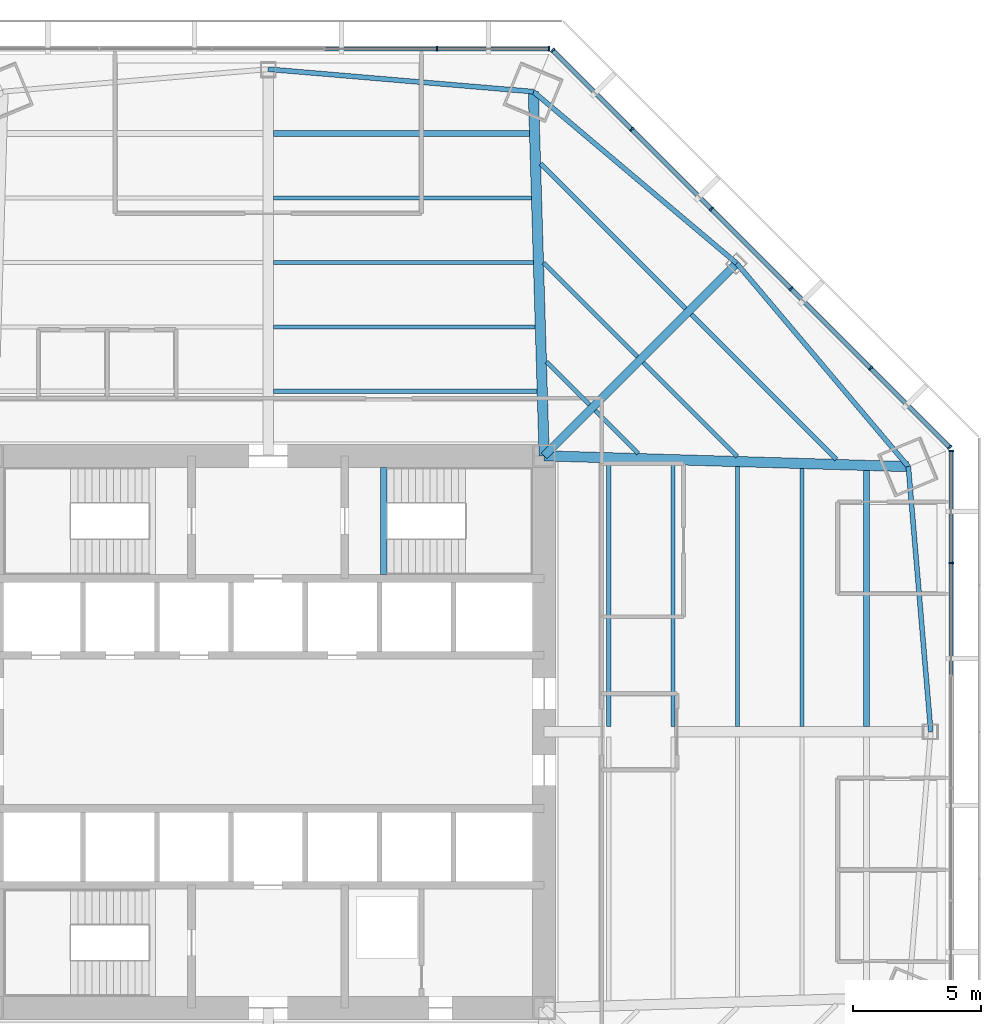
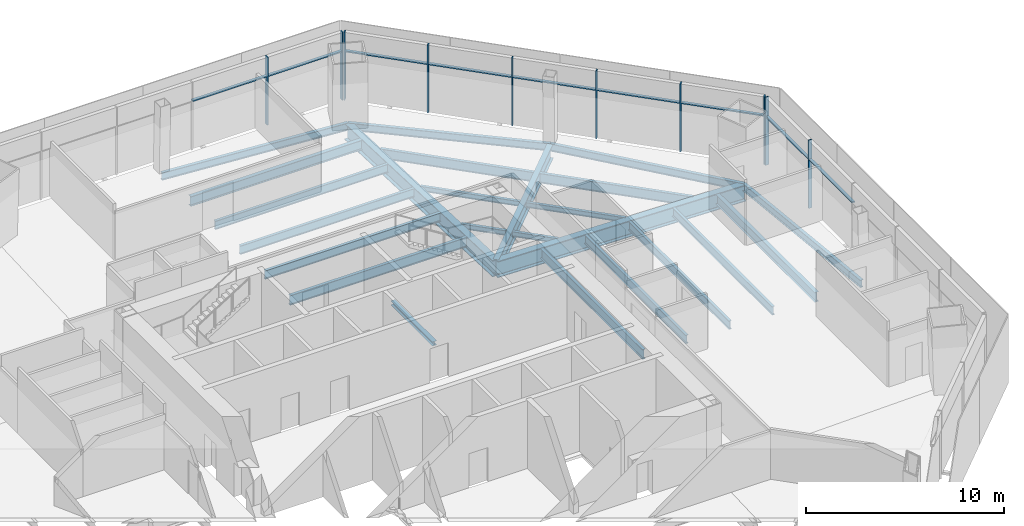
# One storey, part 5 of 13: 24 beams, 19 members, 3 elements without a shape of their own.
"""IFC4 building model written with IfcOpenShell, lengths in metres."""

from ifc_helpers import new_model, si_unit, direction, frame, origin, origin_2d, place, context, subcontext, project, spatial, rectangle, i_section, extrude, source, transform, mapped, material, material_profile, profile_set, type_object, type_shapes, element, aggregate, save


model = new_model("IFC4")

# Units and contexts
model_context = context("Model", 3, precision=1e-05, world=origin(), true_north=direction((0.0, 1.0)))
body_context = subcontext(model_context, "Body", "Model", "MODEL_VIEW")
ifc_project = project(units=[si_unit("LENGTHUNIT", "METRE"), si_unit("AREAUNIT", "SQUARE_METRE"), si_unit("VOLUMEUNIT", "CUBIC_METRE"), si_unit("PLANEANGLEUNIT", "RADIAN"), si_unit("MASSUNIT", "GRAM", prefix="KILO")], contexts=[model_context])

# Site, building, storey
site_placement = place(None, origin())
site = spatial("IfcSite", under=ifc_project, at=site_placement, CompositionType="ELEMENT")
building_placement = place(site_placement, origin())
building = spatial("IfcBuilding", under=site, at=building_placement, Name="Mashrafa Tower", CompositionType="ELEMENT")
storey_placement = place(building_placement, frame((0.0, 0.0, 45.60009765625)))
storey = spatial("IfcBuildingStorey", under=building, at=storey_placement, Name="L09", CompositionType="ELEMENT", Elevation=45.60009765625)

# Beams
ifc_material_1 = material(Name="Steel ASTM A992", Category="steel")
ifc_material_profile_1 = material_profile(ifc_material_1, i_section(OverallWidth=0.164794921875, OverallDepth=0.309814453125, WebThickness=0.005859375, FlangeThickness=0.009765625, FilletRadius=0.007568359375, at=origin_2d()), Name="W12X26")
ifc_profile_set_1 = profile_set([ifc_material_profile_1], Name="Steel ASTM A992")
beam_type_1 = type_object("IfcBeamType", Name="Beam W12X26", PredefinedType="BEAM", material=ifc_profile_set_1)
beam_1_placement = place(storey_placement, frame((10.776123046875, 18.358642578125, -0.320068359375), z_axis=(0.707130220543, -0.707083341053, 0.0), x_axis=(0.707083341053, 0.707130220543, 0.0)))
element("IfcBeam", 1, at=beam_1_placement, inside=storey, type_object=beam_type_1, Name="Floor beam L09 041", PredefinedType="BEAM", context=body_context, shape_type="SweptSolid", body=[
    extrude(i_section(OverallWidth=0.164794921875, OverallDepth=0.309814453125, WebThickness=0.005859375, FlangeThickness=0.009765625, FilletRadius=0.007568359375, at=origin_2d()), origin(), (0.0, 0.0, 1.0), 5.207763671875),
])
for number, where, z_axis, x_axis, name in (
    (2, (10.8916015625, 14.475830078125, -0.320068359375), (0.707106781187, -0.707106781187, 0.0), (0.707106781187, 0.707106781187, 0.0), "Floor beam L09 044"),
    (3, (12.79248046875, 12.574951171875, -0.320068359375), (0.707106781187, -0.707106781187, 0.0), (0.707106781187, 0.707106781187, 0.0), "Floor beam L09 047"),
):
    element("IfcBeam", number, at=place(storey_placement, frame(where, z_axis=z_axis, x_axis=x_axis)), inside=storey, type_object=beam_type_1, Name=name, PredefinedType="BEAM", context=body_context, shape_type="SweptSolid", body=[
        extrude(i_section(OverallWidth=0.164794921875, OverallDepth=0.309814453125, WebThickness=0.005859375, FlangeThickness=0.009765625, FilletRadius=0.007568359375, at=origin_2d()), origin(), (0.0, 0.0, 1.0), 2.380615234375),
    ])
beam_2_placement = place(storey_placement, frame((14.67626953125, 14.458740234375, -0.320068359375), z_axis=(0.707083341053, -0.707130220543, 0.0), x_axis=(0.707130220543, 0.707083341053, 0.0)))
element("IfcBeam", 4, at=beam_2_placement, inside=storey, type_object=beam_type_1, Name="Floor beam L09 051", PredefinedType="BEAM", context=body_context, shape_type="SweptSolid", body=[
    extrude(i_section(OverallWidth=0.164794921875, OverallDepth=0.309814453125, WebThickness=0.005859375, FlangeThickness=0.009765625, FilletRadius=0.007568359375, at=origin_2d()), origin(), (0.0, 0.0, 1.0), 5.207763671875),
])
ifc_material_2 = material(Name="Steel ASTM A992", Category="steel")
ifc_material_profile_2 = material_profile(ifc_material_2, i_section(OverallWidth=0.191162109375, OverallDepth=0.459716796875, WebThickness=0.010009765625, FlangeThickness=0.01611328125, FilletRadius=0.01025390625, at=origin_2d()), Name="W18X55")
ifc_profile_set_2 = profile_set([ifc_material_profile_2], Name="Steel ASTM A992")
beam_type_2 = type_object("IfcBeamType", Name="Beam W18X55", PredefinedType="BEAM", material=ifc_profile_set_2)
beam_3_placement = place(storey_placement, frame((10.376708984375, 25.05126953125, -0.39501953125), z_axis=(-0.996438060976, 0.084327875805, 0.0), x_axis=(-0.084327875805, -0.996438060976, 0.0)))
element("IfcBeam", 5, at=beam_3_placement, inside=storey, type_object=beam_type_2, Name="Spandrel beam L09 091", PredefinedType="BEAM", context=body_context, shape_type="SweptSolid", body=[
    extrude(i_section(OverallWidth=0.191162109375, OverallDepth=0.459716796875, WebThickness=0.010009765625, FlangeThickness=0.01611328125, FilletRadius=0.01025390625, at=origin_2d()), origin(), (0.0, 0.0, 1.0), 10.413818359375),
])
for number, where, z_axis, x_axis, name in (
    (6, (18.3349609375, 18.3349609375, -0.39501953125), (-0.764218898486, 0.64495695608, 0.0), (-0.64495695608, -0.764218898486, 0.0), "Spandrel beam L09 093"),
    (7, (25.05126953125, 10.376708984375, -0.39501953125), (-0.64495695608, 0.764218898486, 0.0), (-0.764218898486, -0.64495695608, 0.0), "Spandrel beam L09 095"),
):
    element("IfcBeam", number, at=place(storey_placement, frame(where, z_axis=z_axis, x_axis=x_axis)), inside=storey, type_object=beam_type_2, Name=name, PredefinedType="BEAM", context=body_context, shape_type="SweptSolid", body=[
        extrude(i_section(OverallWidth=0.191162109375, OverallDepth=0.459716796875, WebThickness=0.010009765625, FlangeThickness=0.01611328125, FilletRadius=0.01025390625, at=origin_2d()), origin(), (0.0, 0.0, 1.0), 10.41357421875),
    ])
beam_4_placement = place(storey_placement, frame((25.929443359375, 0.0, -0.39501953125), z_axis=(-0.084327875805, 0.996438060976, 0.0), x_axis=(-0.996438060976, -0.084327875805, 0.0)))
element("IfcBeam", 8, at=beam_4_placement, inside=storey, type_object=beam_type_2, Name="Spandrel beam L09 096", PredefinedType="BEAM", context=body_context, shape_type="SweptSolid", body=[
    extrude(i_section(OverallWidth=0.191162109375, OverallDepth=0.459716796875, WebThickness=0.010009765625, FlangeThickness=0.01611328125, FilletRadius=0.01025390625, at=origin_2d()), origin(), (0.0, 0.0, 1.0), 10.413818359375),
])
ifc_material_3 = material(Name="Steel ASTM A992", Category="steel")
ifc_material_profile_3 = material_profile(ifc_material_3, i_section(OverallWidth=0.1650390625, OverallDepth=0.52587890625, WebThickness=0.0087890625, FlangeThickness=0.011474609375, FilletRadius=0.0126953125, at=origin_2d()), Name="W21X44")
ifc_profile_set_3 = profile_set([ifc_material_profile_3], Name="Steel ASTM A992")
beam_type_3 = type_object("IfcBeamType", Name="Beam W21X44", PredefinedType="BEAM", material=ifc_profile_set_3)
for number, where, z_axis, x_axis, name in (
    (9, (0.20458984375, 20.88623046875, -0.427978515625), (1.0, 0.0, 0.0), (0.0, 1.0, 0.0), "Floor beam L09 036"),
    (10, (20.88623046875, 10.299560546875, -0.427978515625), (0.0, -1.0, 0.0), (1.0, 0.0, 0.0), "Floor beam L09 061"),
):
    element("IfcBeam", number, at=place(storey_placement, frame(where, z_axis=z_axis, x_axis=x_axis)), inside=storey, type_object=beam_type_3, Name=name, PredefinedType="BEAM", context=body_context, shape_type="SweptSolid", body=[
        extrude(i_section(OverallWidth=0.1650390625, OverallDepth=0.52587890625, WebThickness=0.0087890625, FlangeThickness=0.011474609375, FilletRadius=0.0126953125, at=origin_2d()), origin(), (0.0, 0.0, 1.0), 10.094970703125),
    ])
ifc_material_4 = material(Name="Steel ASTM A992", Category="steel")
ifc_material_profile_4 = material_profile(ifc_material_4, i_section(OverallWidth=0.165771484375, OverallDepth=0.5283203125, WebThickness=0.009765625, FlangeThickness=0.013671875, FilletRadius=0.012939453125, at=origin_2d()), Name="W21X50")
ifc_profile_set_4 = profile_set([ifc_material_profile_4], Name="Steel ASTM A992")
beam_type_4 = type_object("IfcBeamType", Name="Beam W21X50", PredefinedType="BEAM", material=ifc_profile_set_4)
beam_5_placement = place(storey_placement, frame((0.20458984375, 15.843017578125, -0.42919921875), z_axis=(1.0, 0.0, 0.0), x_axis=(0.0, 1.0, 0.0)))
element("IfcBeam", 11, at=beam_5_placement, inside=storey, type_object=beam_type_4, Name="Floor beam L09 034", PredefinedType="BEAM", context=body_context, shape_type="SweptSolid", body=[
    extrude(i_section(OverallWidth=0.165771484375, OverallDepth=0.5283203125, WebThickness=0.009765625, FlangeThickness=0.013671875, FilletRadius=0.012939453125, at=origin_2d()), origin(), (0.0, 0.0, 1.0), 10.244873046875),
])
beam_6_placement = place(storey_placement, frame((0.20458984375, 18.36474609375, -0.42919921875), z_axis=(1.0, 0.0, 0.0), x_axis=(0.0, 1.0, 0.0)))
element("IfcBeam", 12, at=beam_6_placement, inside=storey, type_object=beam_type_4, Name="Floor beam L09 035", PredefinedType="BEAM", context=body_context, shape_type="SweptSolid", body=[
    extrude(i_section(OverallWidth=0.165771484375, OverallDepth=0.5283203125, WebThickness=0.009765625, FlangeThickness=0.013671875, FilletRadius=0.012939453125, at=origin_2d()), origin(), (0.0, 0.0, 1.0), 10.169921875),
])
beam_7_placement = place(storey_placement, frame((15.843017578125, 10.449462890625, -0.42919921875), z_axis=(0.0, -1.0, 0.0), x_axis=(1.0, 0.0, 0.0)))
element("IfcBeam", 13, at=beam_7_placement, inside=storey, type_object=beam_type_4, Name="Floor beam L09 054", PredefinedType="BEAM", context=body_context, shape_type="SweptSolid", body=[
    extrude(i_section(OverallWidth=0.165771484375, OverallDepth=0.5283203125, WebThickness=0.009765625, FlangeThickness=0.013671875, FilletRadius=0.012939453125, at=origin_2d()), origin(), (0.0, 0.0, 1.0), 10.244873046875),
])
beam_8_placement = place(storey_placement, frame((18.36474609375, 10.37451171875, -0.42919921875), z_axis=(0.0, -1.0, 0.0), x_axis=(1.0, 0.0, 0.0)))
element("IfcBeam", 14, at=beam_8_placement, inside=storey, type_object=beam_type_4, Name="Floor beam L09 058", PredefinedType="BEAM", context=body_context, shape_type="SweptSolid", body=[
    extrude(i_section(OverallWidth=0.165771484375, OverallDepth=0.5283203125, WebThickness=0.009765625, FlangeThickness=0.013671875, FilletRadius=0.012939453125, at=origin_2d()), origin(), (0.0, 0.0, 1.0), 10.169921875),
])
ifc_material_5 = material(Name="Steel ASTM A992", Category="steel")
ifc_material_profile_5 = material_profile(ifc_material_5, i_section(OverallWidth=0.177978515625, OverallDepth=0.599365234375, WebThickness=0.010009765625, FlangeThickness=0.012939453125, FilletRadius=0.012939453125, at=origin_2d()), Name="W24X55")
ifc_profile_set_5 = profile_set([ifc_material_profile_5], Name="Steel ASTM A992")
beam_type_5 = type_object("IfcBeamType", Name="Beam W24X55", PredefinedType="BEAM", material=ifc_profile_set_5)
beam_9_placement = place(storey_placement, frame((0.20458984375, 13.321533203125, -0.46484375), z_axis=(1.0, 0.0, 0.0), x_axis=(0.0, 1.0, 0.0)))
element("IfcBeam", 15, at=beam_9_placement, inside=storey, type_object=beam_type_5, Name="Floor beam L09 033", PredefinedType="BEAM", context=body_context, shape_type="SweptSolid", body=[
    extrude(i_section(OverallWidth=0.177978515625, OverallDepth=0.599365234375, WebThickness=0.010009765625, FlangeThickness=0.012939453125, FilletRadius=0.012939453125, at=origin_2d()), origin(), (0.0, 0.0, 1.0), 10.31982421875),
])
beam_10_placement = place(storey_placement, frame((10.660888671875, 22.241455078125, -0.46484375), z_axis=(0.707106781187, -0.707106781187, 0.0), x_axis=(0.707106781187, 0.707106781187, 0.0)))
element("IfcBeam", 16, at=beam_10_placement, inside=storey, type_object=beam_type_5, Name="Floor beam L09 039", PredefinedType="BEAM", context=body_context, shape_type="SweptSolid", body=[
    extrude(i_section(OverallWidth=0.177978515625, OverallDepth=0.599365234375, WebThickness=0.010009765625, FlangeThickness=0.012939453125, FilletRadius=0.012939453125, at=origin_2d()), origin(), (0.0, 0.0, 1.0), 8.03515625),
])
beam_11_placement = place(storey_placement, frame((13.321533203125, 10.5244140625, -0.46484375), z_axis=(0.0, -1.0, 0.0), x_axis=(1.0, 0.0, 0.0)))
element("IfcBeam", 17, at=beam_11_placement, inside=storey, type_object=beam_type_5, Name="Floor beam L09 049", PredefinedType="BEAM", context=body_context, shape_type="SweptSolid", body=[
    extrude(i_section(OverallWidth=0.177978515625, OverallDepth=0.599365234375, WebThickness=0.010009765625, FlangeThickness=0.012939453125, FilletRadius=0.012939453125, at=origin_2d()), origin(), (0.0, 0.0, 1.0), 10.31982421875),
])
beam_12_placement = place(storey_placement, frame((16.559814453125, 16.342529296875, -0.46484375), z_axis=(0.707106781187, -0.707106781187, 0.0), x_axis=(0.707106781187, 0.707106781187, 0.0)))
element("IfcBeam", 18, at=beam_12_placement, inside=storey, type_object=beam_type_5, Name="Floor beam L09 056", PredefinedType="BEAM", context=body_context, shape_type="SweptSolid", body=[
    extrude(i_section(OverallWidth=0.177978515625, OverallDepth=0.599365234375, WebThickness=0.010009765625, FlangeThickness=0.012939453125, FilletRadius=0.012939453125, at=origin_2d()), origin(), (0.0, 0.0, 1.0), 8.03515625),
])
ifc_material_6 = material(Name="Steel ASTM A992", Category="steel")
ifc_material_profile_6 = material_profile(ifc_material_6, i_section(OverallWidth=0.227783203125, OverallDepth=0.60205078125, WebThickness=0.010498046875, FlangeThickness=0.014892578125, FilletRadius=0.012939453125, at=origin_2d()), Name="W24X68")
ifc_profile_set_6 = profile_set([ifc_material_profile_6], Name="Steel ASTM A992")
beam_type_6 = type_object("IfcBeamType", Name="Beam W24X68", PredefinedType="BEAM", material=ifc_profile_set_6)
for number, where, z_axis, x_axis, name in (
    (19, (0.20458984375, 23.40771484375, -0.466064453125), (1.0, 0.0, 0.0), (0.0, 1.0, 0.0), "Floor beam L09 037"),
    (20, (23.40771484375, 10.224609375, -0.466064453125), (0.0, -1.0, 0.0), (1.0, 0.0, 0.0), "Floor beam L09 064"),
):
    element("IfcBeam", number, at=place(storey_placement, frame(where, z_axis=z_axis, x_axis=x_axis)), inside=storey, type_object=beam_type_6, Name=name, PredefinedType="BEAM", context=body_context, shape_type="SweptSolid", body=[
        extrude(i_section(OverallWidth=0.227783203125, OverallDepth=0.60205078125, WebThickness=0.010498046875, FlangeThickness=0.014892578125, FilletRadius=0.012939453125, at=origin_2d()), origin(), (0.0, 0.0, 1.0), 10.02001953125),
    ])
ifc_material_7 = material(Name="Steel ASTM A992", Category="steel")
ifc_material_profile_7 = material_profile(ifc_material_7, i_section(OverallWidth=0.307373046875, OverallDepth=0.927001953125, WebThickness=0.01953125, FlangeThickness=0.031982421875, FilletRadius=0.01904296875, at=origin_2d()), Name="W36X194")
ifc_profile_set_7 = profile_set([ifc_material_profile_7], Name="Steel ASTM A992")
beam_type_7 = type_object("IfcBeamType", Name="Beam W36X194", PredefinedType="BEAM", material=ifc_profile_set_7)
beam_13_placement = place(storey_placement, frame((10.800048828125, 10.800048828125, -0.628662109375), z_axis=(0.707106781187, 0.707106781187, 0.0), x_axis=(-0.707106781187, 0.707106781187, 0.0)))
element("IfcBeam", 21, at=beam_13_placement, inside=storey, type_object=beam_type_7, Name="Radial girder L09 079", PredefinedType="BEAM", context=body_context, shape_type="SweptSolid", body=[
    extrude(i_section(OverallWidth=0.307373046875, OverallDepth=0.927001953125, WebThickness=0.01953125, FlangeThickness=0.031982421875, FilletRadius=0.01904296875, at=origin_2d()), origin(), (0.0, 0.0, 1.0), 10.656005859375),
])
ifc_material_8 = material(Name="Steel ASTM A992", Category="steel")
ifc_material_profile_8 = material_profile(ifc_material_8, i_section(OverallWidth=0.4013671875, OverallDepth=1.010986328125, WebThickness=0.023681640625, FlangeThickness=0.0419921875, FilletRadius=0.02001953125, at=origin_2d()), Name="W40X297")
ifc_profile_set_8 = profile_set([ifc_material_profile_8], Name="Steel ASTM A992")
beam_type_8 = type_object("IfcBeamType", Name="Beam W40X297", PredefinedType="BEAM", material=ifc_profile_set_8)
for number, where, z_axis, x_axis, name in (
    (22, (10.800048828125, 10.800048828125, -0.670654296875), (-0.029692416869, 0.999559082986, 0.0), (-0.999559082986, -0.029692416869, 0.0), "Radial girder L09 078"),
    (23, (10.800048828125, 10.800048828125, -0.670654296875), (0.999559082986, -0.029692416869, 0.0), (0.029692416869, 0.999559082986, 0.0), "Radial girder L09 080"),
):
    element("IfcBeam", number, at=place(storey_placement, frame(where, z_axis=z_axis, x_axis=x_axis)), inside=storey, type_object=beam_type_8, Name=name, PredefinedType="BEAM", context=body_context, shape_type="SweptSolid", body=[
        extrude(i_section(OverallWidth=0.4013671875, OverallDepth=1.010986328125, WebThickness=0.023681640625, FlangeThickness=0.0419921875, FilletRadius=0.02001953125, at=origin_2d()), origin(), (0.0, 0.0, 1.0), 14.257568359375),
    ])
ifc_material_9 = material(Name="Steel ASTM A992", Category="steel")
ifc_material_profile_9 = material_profile(ifc_material_9, i_section(OverallWidth=0.25390625, OverallDepth=0.25390625, WebThickness=0.008544921875, FlangeThickness=0.01416015625, FilletRadius=0.010009765625, at=origin_2d()), Name="W10X49")
ifc_profile_set_9 = profile_set([ifc_material_profile_9], Name="Steel ASTM A992")
beam_type_9 = type_object("IfcBeamType", Name="Hoistway beam W10X49", PredefinedType="BEAM", material=ifc_profile_set_9)
beam_14_placement = place(storey_placement, frame((4.530029296875, 6.14990234375, -0.3271484375), z_axis=(0.0, 1.0, 0.0), x_axis=(-1.0, 0.0, 0.0)))
element("IfcBeam", 24, at=beam_14_placement, inside=storey, type_object=beam_type_9, Name="Stair S2 landing beam L09", PredefinedType="BEAM", context=body_context, shape_type="SweptSolid", body=[
    extrude(i_section(OverallWidth=0.25390625, OverallDepth=0.25390625, WebThickness=0.008544921875, FlangeThickness=0.01416015625, FilletRadius=0.010009765625, at=origin_2d()), origin(), (0.0, 0.0, 1.0), 4.2001953125),
])

# Curtain wall, members
ifc_material_10 = material(Name="Unitised aluminium curtain wall", Category="aluminium")
curtain_wall_type = type_object("IfcCurtainWallType", Name="Office curtain wall, zone 1 CW-A 200 deep", PredefinedType="NOTDEFINED", material=ifc_material_10)
curtain_wall_1_placement = place(storey_placement, origin())
curtain_wall_1 = element("IfcCurtainWall", 25, at=curtain_wall_1_placement, inside=storey, type_object=curtain_wall_type, Name="Office curtain wall, zone 1 L09 east", PredefinedType="NOTDEFINED")
ifc_material_11 = material(Name="Extruded aluminium mullion", Category="aluminium")
ifc_material_profile_10 = material_profile(ifc_material_11, rectangle(XDim=0.199951171875, YDim=0.06494140625, at=origin_2d()), Name="Mullion 65x200")
ifc_profile_set_10 = profile_set([ifc_material_profile_10], Name="Extruded aluminium mullion")
member_type_1 = type_object("IfcMemberType", Name="Mullion CW-A 65 x 200", PredefinedType="MULLION", material=ifc_profile_set_10)
shared_shape_1 = source(origin(), body_context, "Body", "SweptSolid", [
    extrude(rectangle(XDim=0.199951171875, YDim=0.06494140625, at=origin_2d()), origin(), (0.0, 0.0, 1.0), 4.199951171875),
])
type_shapes(member_type_1, [shared_shape_1])
member_1_placement = place(storey_placement, frame((26.724853515625, 6.611083984375, 0.0), z_axis=(0.0, 0.0, 1.0), x_axis=(-1.0, 0.0, 0.0)))
member_1 = element("IfcMember", 26, at=member_1_placement, type_object=member_type_1, Name="CW-A mullion 5", PredefinedType="MULLION", context=body_context, shape_type="MappedRepresentation", body=[
    mapped(shared_shape_1, transform((0.0, 0.0, 0.0))),
])
member_2_placement = place(storey_placement, frame((26.724853515625, 10.98583984375, 0.0), z_axis=(0.0, 0.0, 1.0), x_axis=(-1.0, 0.0, 0.0)))
member_2 = element("IfcMember", 27, at=member_2_placement, type_object=member_type_1, Name="CW-A mullion 6", PredefinedType="MULLION", context=body_context, shape_type="MappedRepresentation", body=[
    mapped(shared_shape_1, transform((0.0, 0.0, 0.0))),
])

curtain_wall_2_placement = place(storey_placement, origin())
curtain_wall_2 = element("IfcCurtainWall", 28, at=curtain_wall_2_placement, inside=storey, type_object=curtain_wall_type, Name="Office curtain wall, zone 1 L09 north-east", PredefinedType="NOTDEFINED")
member_3_placement = place(storey_placement, frame((26.66552734375, 11.129150390625, 0.0), z_axis=(0.0, 0.0, 1.0), x_axis=(-0.707106781187, -0.707106781187, 0.0)))
member_3 = element("IfcMember", 29, at=member_3_placement, type_object=member_type_1, Name="CW-A mullion 1", PredefinedType="MULLION", context=body_context, shape_type="MappedRepresentation", body=[
    mapped(shared_shape_1, transform((0.0, 0.0, 0.0))),
])
member_4_placement = place(storey_placement, frame((23.572021484375, 14.22265625, 0.0), z_axis=(0.0, 0.0, 1.0), x_axis=(-0.707106781187, -0.707106781187, 0.0)))
member_4 = element("IfcMember", 30, at=member_4_placement, type_object=member_type_1, Name="CW-A mullion 2", PredefinedType="MULLION", context=body_context, shape_type="MappedRepresentation", body=[
    mapped(shared_shape_1, transform((0.0, 0.0, 0.0))),
])
member_5_placement = place(storey_placement, frame((20.45556640625, 17.339111328125, 0.0), z_axis=(0.0, 0.0, 1.0), x_axis=(-0.707106781187, -0.707106781187, 0.0)))
member_5 = element("IfcMember", 31, at=member_5_placement, type_object=member_type_1, Name="CW-A mullion 3", PredefinedType="MULLION", context=body_context, shape_type="MappedRepresentation", body=[
    mapped(shared_shape_1, transform((0.0, 0.0, 0.0))),
])
member_6_placement = place(storey_placement, frame((17.339111328125, 20.45556640625, 0.0), z_axis=(0.0, 0.0, 1.0), x_axis=(-0.707106781187, -0.707106781187, 0.0)))
member_6 = element("IfcMember", 32, at=member_6_placement, type_object=member_type_1, Name="CW-A mullion 4", PredefinedType="MULLION", context=body_context, shape_type="MappedRepresentation", body=[
    mapped(shared_shape_1, transform((0.0, 0.0, 0.0))),
])
member_7_placement = place(storey_placement, frame((14.22265625, 23.572021484375, 0.0), z_axis=(0.0, 0.0, 1.0), x_axis=(-0.707106781187, -0.707106781187, 0.0)))
member_7 = element("IfcMember", 33, at=member_7_placement, type_object=member_type_1, Name="CW-A mullion 5", PredefinedType="MULLION", context=body_context, shape_type="MappedRepresentation", body=[
    mapped(shared_shape_1, transform((0.0, 0.0, 0.0))),
])
member_8_placement = place(storey_placement, frame((11.129150390625, 26.66552734375, 0.0), z_axis=(0.0, 0.0, 1.0), x_axis=(-0.707106781187, -0.707106781187, 0.0)))
member_8 = element("IfcMember", 34, at=member_8_placement, type_object=member_type_1, Name="CW-A mullion 6", PredefinedType="MULLION", context=body_context, shape_type="MappedRepresentation", body=[
    mapped(shared_shape_1, transform((0.0, 0.0, 0.0))),
])

curtain_wall_3_placement = place(storey_placement, origin())
curtain_wall_3 = element("IfcCurtainWall", 35, at=curtain_wall_3_placement, inside=storey, type_object=curtain_wall_type, Name="Office curtain wall, zone 1 L09 north", PredefinedType="NOTDEFINED")
member_9_placement = place(storey_placement, frame((10.98583984375, 26.724853515625, 0.0), z_axis=(0.0, 0.0, 1.0), x_axis=(0.0, -1.0, 0.0)))
member_9 = element("IfcMember", 36, at=member_9_placement, type_object=member_type_1, Name="CW-A mullion 1", PredefinedType="MULLION", context=body_context, shape_type="MappedRepresentation", body=[
    mapped(shared_shape_1, transform((0.0, 0.0, 0.0))),
])
member_10_placement = place(storey_placement, frame((6.611083984375, 26.724853515625, 0.0), z_axis=(0.0, 0.0, 1.0), x_axis=(0.0, -1.0, 0.0)))
member_10 = element("IfcMember", 37, at=member_10_placement, type_object=member_type_1, Name="CW-A mullion 2", PredefinedType="MULLION", context=body_context, shape_type="MappedRepresentation", body=[
    mapped(shared_shape_1, transform((0.0, 0.0, 0.0))),
])

# Member
ifc_material_12 = material(Name="Extruded aluminium transom", Category="aluminium")
ifc_material_profile_11 = material_profile(ifc_material_12, rectangle(XDim=0.159912109375, YDim=0.080078125, at=origin_2d()), Name="Transom 80x160")
ifc_profile_set_11 = profile_set([ifc_material_profile_11], Name="Extruded aluminium transom")
member_type_2 = type_object("IfcMemberType", Name="Transom CW-A 80 x 160", PredefinedType="MULLION", material=ifc_profile_set_11)
shared_shape_2 = source(origin(), body_context, "Body", "SweptSolid", [
    extrude(rectangle(XDim=0.159912109375, YDim=0.080078125, at=origin_2d()), origin(), (0.0, 0.0, 1.0), 4.309814453125),
])
member_11_placement = place(storey_placement, frame((26.724853515625, 6.6435546875, 3.0), z_axis=(0.0, 1.0, 0.0), x_axis=(-1.0, 0.0, 0.0)))
member_11 = element("IfcMember", 38, at=member_11_placement, type_object=member_type_2, Name="CW-A transom 5", PredefinedType="MULLION", context=body_context, shape_type="MappedRepresentation", body=[
    mapped(shared_shape_2, transform((0.0, 0.0, 0.0))),
])

member_12_placement = place(storey_placement, frame((26.642333984375, 11.152099609375, 3.0), z_axis=(-0.707078456695, 0.707135104544, 0.0), x_axis=(-0.707135104544, -0.707078456695, 0.0)))
member_12 = element("IfcMember", 39, at=member_12_placement, type_object=member_type_2, Name="CW-A transom 1", PredefinedType="MULLION", context=body_context, shape_type="MappedRepresentation", body=[
    mapped(shared_shape_2, transform((0.0, 0.0, 0.0))),
])

member_13_placement = place(storey_placement, frame((14.19970703125, 23.594970703125, 3.0), z_axis=(-0.707135104544, 0.707078456695, 0.0), x_axis=(-0.707078456695, -0.707135104544, 0.0)))
member_13 = element("IfcMember", 40, at=member_13_placement, type_object=member_type_2, Name="CW-A transom 5", PredefinedType="MULLION", context=body_context, shape_type="MappedRepresentation", body=[
    mapped(shared_shape_2, transform((0.0, 0.0, 0.0))),
])

member_14_placement = place(storey_placement, frame((10.953369140625, 26.724853515625, 3.0), z_axis=(-1.0, 0.0, 0.0), x_axis=(0.0, -1.0, 0.0)))
member_14 = element("IfcMember", 41, at=member_14_placement, type_object=member_type_2, Name="CW-A transom 1", PredefinedType="MULLION", context=body_context, shape_type="MappedRepresentation", body=[
    mapped(shared_shape_2, transform((0.0, 0.0, 0.0))),
])

shared_shape_3 = source(origin(), body_context, "Body", "SweptSolid", [
    extrude(rectangle(XDim=0.159912109375, YDim=0.080078125, at=origin_2d()), origin(), (0.0, 0.0, 1.0), 4.342529296875),
])
type_shapes(member_type_2, [shared_shape_2, shared_shape_3])
member_15_placement = place(storey_placement, frame((26.724853515625, 2.236083984375, 3.0), z_axis=(0.0, 1.0, 0.0), x_axis=(-1.0, 0.0, 0.0)))
member_15 = element("IfcMember", 42, at=member_15_placement, type_object=member_type_2, Name="CW-A transom 4", PredefinedType="MULLION", context=body_context, shape_type="MappedRepresentation", body=[
    mapped(shared_shape_3, transform((0.0, 0.0, 0.0))),
])

aggregate(curtain_wall_1, [member_1, member_2, member_15, member_11])

member_16_placement = place(storey_placement, frame((23.549072265625, 14.24560546875, 3.0), z_axis=(-0.707106781187, 0.707106781187, 0.0), x_axis=(-0.707106781187, -0.707106781187, 0.0)))
member_16 = element("IfcMember", 43, at=member_16_placement, type_object=member_type_2, Name="CW-A transom 2", PredefinedType="MULLION", context=body_context, shape_type="MappedRepresentation", body=[
    mapped(shared_shape_3, transform((0.0, 0.0, 0.0))),
])

member_17_placement = place(storey_placement, frame((20.4326171875, 17.362060546875, 3.0), z_axis=(-0.707106781187, 0.707106781187, 0.0), x_axis=(-0.707106781187, -0.707106781187, 0.0)))
member_17 = element("IfcMember", 44, at=member_17_placement, type_object=member_type_2, Name="CW-A transom 3", PredefinedType="MULLION", context=body_context, shape_type="MappedRepresentation", body=[
    mapped(shared_shape_3, transform((0.0, 0.0, 0.0))),
])

member_18_placement = place(storey_placement, frame((17.316162109375, 20.478515625, 3.0), z_axis=(-0.707106781187, 0.707106781187, 0.0), x_axis=(-0.707106781187, -0.707106781187, 0.0)))
member_18 = element("IfcMember", 45, at=member_18_placement, type_object=member_type_2, Name="CW-A transom 4", PredefinedType="MULLION", context=body_context, shape_type="MappedRepresentation", body=[
    mapped(shared_shape_3, transform((0.0, 0.0, 0.0))),
])

aggregate(curtain_wall_2, [member_3, member_4, member_5, member_6, member_7, member_8, member_12, member_16, member_17, member_18, member_13])

member_19_placement = place(storey_placement, frame((6.57861328125, 26.724853515625, 3.0), z_axis=(-1.0, 0.0, 0.0), x_axis=(0.0, -1.0, 0.0)))
member_19 = element("IfcMember", 46, at=member_19_placement, type_object=member_type_2, Name="CW-A transom 2", PredefinedType="MULLION", context=body_context, shape_type="MappedRepresentation", body=[
    mapped(shared_shape_3, transform((0.0, 0.0, 0.0))),
])

aggregate(curtain_wall_3, [member_9, member_10, member_14, member_19])

save(model, "model.ifc")
